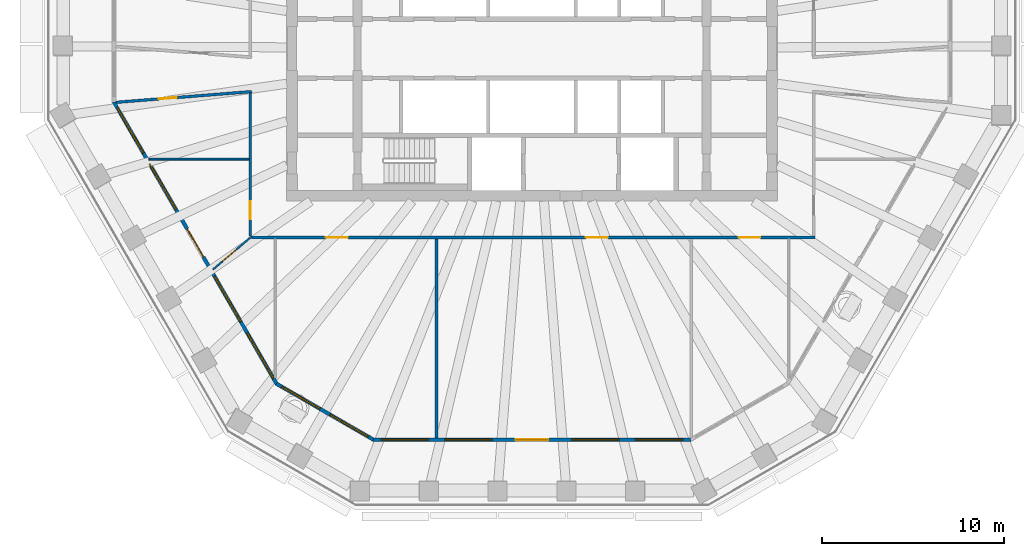
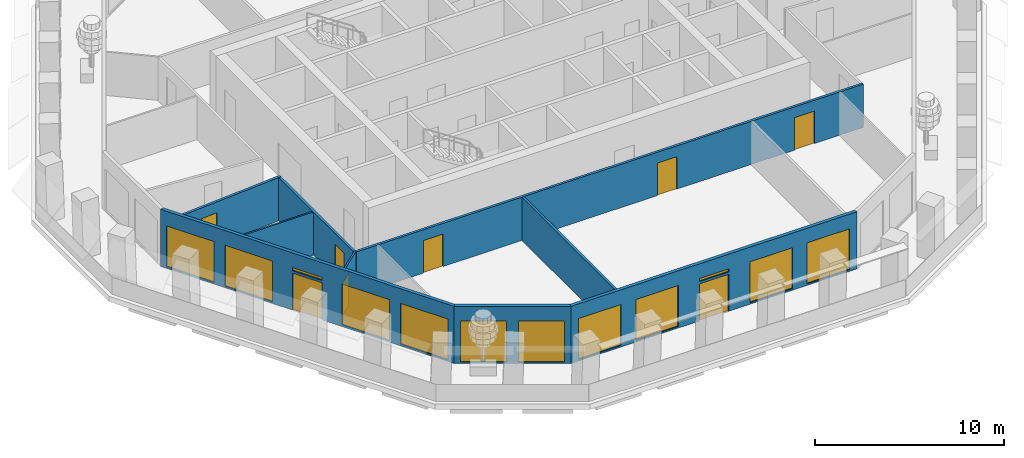
# One storey, part 3 of 12: 12 windows, 9 walls, 8 doors, 20 openings.
"""IFC4 building model written with IfcOpenShell, lengths in metres."""

from ifc_helpers import new_model, si_unit, direction, frame, frame_2d, origin, place, context, subcontext, project, spatial, polyline, rectangle, outline, extrude, material, layer, layer_set, type_object, element, fill, save


model = new_model("IFC4")

# Units and contexts
model_context = context("Model", 3, precision=1e-05, world=origin(), true_north=direction((0.0, 1.0)))
body_context = subcontext(model_context, "Body", "Model", "MODEL_VIEW")
ifc_project = project(units=[si_unit("LENGTHUNIT", "METRE"), si_unit("AREAUNIT", "SQUARE_METRE"), si_unit("VOLUMEUNIT", "CUBIC_METRE"), si_unit("PLANEANGLEUNIT", "RADIAN"), si_unit("MASSUNIT", "GRAM", prefix="KILO")], contexts=[model_context])

# Site, building, storey
site_placement = place(None, origin())
site = spatial("IfcSite", under=ifc_project, at=site_placement, CompositionType="ELEMENT")
building_placement = place(site_placement, origin())
building = spatial("IfcBuilding", under=site, at=building_placement, Name="Frailejon Research Tower", CompositionType="ELEMENT")
storey_placement = place(building_placement, frame((0.0, 0.0, 215.39990234375)))
storey = spatial("IfcBuildingStorey", under=building, at=storey_placement, Name="L46", CompositionType="ELEMENT", Elevation=215.39990234375)

# Wall, opening, door
ifc_material_1 = material(Name="Gypsum board and masonry partition", Category="masonry")
ifc_layer_1 = layer(ifc_material_1, 0.14990234375)
ifc_layer_set_1 = layer_set([ifc_layer_1], Name="Corridor wall EI 60, gypsum on steel studs 150")
wall_type_1 = type_object("IfcWallType", Name="Corridor wall EI 60, gypsum on steel studs 150", PredefinedType="PARTITIONING", material=ifc_layer_set_1)
wall_1_placement = place(storey_placement, frame((-15.5, -10.324951171875, 0.0), z_axis=(0.0, 0.0, 1.0), x_axis=(0.0, 1.0, 0.0)))
wall_1 = element("IfcWall", 1, at=wall_1_placement, inside=storey, type_object=wall_type_1, Name="T:IW:L46:004", PredefinedType="PARTITIONING", context=body_context, shape_type="SweptSolid", body=[
    extrude(rectangle(XDim=7.8740234375, YDim=0.14990234375, at=frame_2d((3.93701171875, 0.0))), origin(), (0.0, 0.0, 1.0), 2.800048828125),
])
opening_1_placement = place(wall_1_placement, frame((0.928466796875, 0.0, 0.0)))
opening_1 = element("IfcOpeningElement", 2, at=opening_1_placement, cuts=wall_1, Name="Opening D1955", PredefinedType="OPENING", context=body_context, shape_type="SweptSolid", body=[
    extrude(rectangle(XDim=1.0, YDim=2.10009765625, at=frame_2d((0.5, 1.050048828125))), frame((0.0, 0.0849609375, 0.0), z_axis=(0.0, -1.0, 0.0), x_axis=(1.0, 0.0, 0.0)), (0.0, 0.0, 1.0), 0.169921875),
])
ifc_material_2 = material(Name="Timber door leaf", Category="wood")
door_type_1 = type_object("IfcDoorType", Name="Door single leaf, timber, steel frame 1000", OperationType="NOTDEFINED", PredefinedType="DOOR", material=ifc_material_2)
door_1_placement = place(opening_1_placement, origin())
door_1 = element("IfcDoor", 3, at=door_1_placement, inside=storey, type_object=door_type_1, Name="D1955", OperationType="SINGLE_SWING_LEFT", OverallHeight=2.10009765625, OverallWidth=1.0, PredefinedType="DOOR", context=body_context, shape_type="SweptSolid", body=[
    extrude(rectangle(XDim=1.0, YDim=2.10009765625, at=frame_2d((0.5, 1.050048828125))), frame((0.0, 0.02490234375, 0.0), z_axis=(0.0, -1.0, 0.0), x_axis=(1.0, 0.0, 0.0)), (0.0, 0.0, 1.0), 0.050048828125),
])
fill(opening_1, door_1)

# Wall, openings, doors
wall_2_placement = place(storey_placement, frame((-15.449951171875, -10.39990234375, 0.0), z_axis=(0.0, 0.0, 1.0), x_axis=(1.0, 0.0, 0.0)))
wall_2 = element("IfcWall", 4, at=wall_2_placement, inside=storey, type_object=wall_type_1, Name="T:IW:L46:006", PredefinedType="PARTITIONING", context=body_context, shape_type="SweptSolid", body=[
    extrude(rectangle(XDim=31.02490234375, YDim=0.14990234375, at=frame_2d((15.512451171875, 0.0))), origin(), (0.0, 0.0, 1.0), 2.800048828125),
])
opening_2_placement = place(wall_2_placement, frame((4.110107421875, 0.0, 0.0)))
opening_2 = element("IfcOpeningElement", 5, at=opening_2_placement, cuts=wall_2, Name="Opening D1957", PredefinedType="OPENING", context=body_context, shape_type="SweptSolid", body=[
    extrude(rectangle(XDim=1.199951171875, YDim=2.10009765625, at=frame_2d((0.60009765625, 1.050048828125))), frame((0.0, 0.0849609375, 0.0), z_axis=(0.0, -1.0, 0.0), x_axis=(1.0, 0.0, 0.0)), (0.0, 0.0, 1.0), 0.169921875),
])
opening_3_placement = place(wall_2_placement, frame((18.418212890625, 0.0, 0.0)))
opening_3 = element("IfcOpeningElement", 6, at=opening_3_placement, cuts=wall_2, Name="Opening D1958", PredefinedType="OPENING", context=body_context, shape_type="SweptSolid", body=[
    extrude(rectangle(XDim=1.199951171875, YDim=2.10009765625, at=frame_2d((0.60009765625, 1.050048828125))), frame((0.0, 0.0849609375, 0.0), z_axis=(0.0, -1.0, 0.0), x_axis=(1.0, 0.0, 0.0)), (0.0, 0.0, 1.0), 0.169921875),
])
opening_4_placement = place(wall_2_placement, frame((26.81591796875, 0.0, 0.0)))
opening_4 = element("IfcOpeningElement", 7, at=opening_4_placement, cuts=wall_2, Name="Opening D1959", PredefinedType="OPENING", context=body_context, shape_type="SweptSolid", body=[
    extrude(rectangle(XDim=1.199951171875, YDim=2.10009765625, at=frame_2d((0.60009765625, 1.050048828125))), frame((0.0, 0.0849609375, 0.0), z_axis=(0.0, -1.0, 0.0), x_axis=(1.0, 0.0, 0.0)), (0.0, 0.0, 1.0), 0.169921875),
])
ifc_material_3 = material(Name="Timber door leaf", Category="wood")
door_type_2 = type_object("IfcDoorType", Name="Door laboratory, timber, vision panel 1200", OperationType="NOTDEFINED", PredefinedType="DOOR", material=ifc_material_3)
door_2_placement = place(opening_3_placement, origin())
door_2 = element("IfcDoor", 8, at=door_2_placement, inside=storey, type_object=door_type_2, Name="D1958", OperationType="DOUBLE_DOOR_SINGLE_SWING", OverallHeight=2.10009765625, OverallWidth=1.199951171875, PredefinedType="DOOR", context=body_context, shape_type="SweptSolid", body=[
    extrude(rectangle(XDim=1.199951171875, YDim=2.10009765625, at=frame_2d((0.60009765625, 1.050048828125))), frame((0.0, 0.02490234375, 0.0), z_axis=(0.0, -1.0, 0.0), x_axis=(1.0, 0.0, 0.0)), (0.0, 0.0, 1.0), 0.050048828125),
])
fill(opening_3, door_2)
ifc_material_4 = material(Name="Timber door leaf", Category="wood")
door_type_3 = type_object("IfcDoorType", Name="Door single leaf, timber, steel frame 1200", OperationType="NOTDEFINED", PredefinedType="DOOR", material=ifc_material_4)
door_3_placement = place(opening_2_placement, origin())
door_3 = element("IfcDoor", 9, at=door_3_placement, inside=storey, type_object=door_type_3, Name="D1957", OperationType="DOUBLE_DOOR_SINGLE_SWING", OverallHeight=2.10009765625, OverallWidth=1.199951171875, PredefinedType="DOOR", context=body_context, shape_type="SweptSolid", body=[
    extrude(rectangle(XDim=1.199951171875, YDim=2.10009765625, at=frame_2d((0.60009765625, 1.050048828125))), frame((0.0, 0.02490234375, 0.0), z_axis=(0.0, -1.0, 0.0), x_axis=(1.0, 0.0, 0.0)), (0.0, 0.0, 1.0), 0.050048828125),
])
fill(opening_2, door_3)
door_4_placement = place(opening_4_placement, origin())
door_4 = element("IfcDoor", 10, at=door_4_placement, inside=storey, type_object=door_type_3, Name="D1959", OperationType="DOUBLE_DOOR_SINGLE_SWING", OverallHeight=2.10009765625, OverallWidth=1.199951171875, PredefinedType="DOOR", context=body_context, shape_type="SweptSolid", body=[
    extrude(rectangle(XDim=1.199951171875, YDim=2.10009765625, at=frame_2d((0.60009765625, 1.050048828125))), frame((0.0, 0.02490234375, 0.0), z_axis=(0.0, -1.0, 0.0), x_axis=(1.0, 0.0, 0.0)), (0.0, 0.0, 1.0), 0.050048828125),
])
fill(opening_4, door_4)

# Wall, opening, door
wall_3_placement = place(storey_placement, frame((-22.885986328125, -2.960205078125, 0.0), z_axis=(0.0, 0.0, 1.0), x_axis=(0.996886755429, 0.078846666706, 0.0)))
wall_3 = element("IfcWall", 11, at=wall_3_placement, inside=storey, type_object=wall_type_1, Name="T:IW:L46:008", PredefinedType="PARTITIONING", context=body_context, shape_type="SweptSolid", body=[
    extrude(rectangle(XDim=7.48388671875, YDim=0.14990234375, at=frame_2d((3.741943359375, 0.0))), origin(), (0.0, 0.0, 1.0), 2.800048828125),
])
opening_5_placement = place(wall_3_placement, frame((2.34814453125, 0.0, 0.0)))
opening_5 = element("IfcOpeningElement", 12, at=opening_5_placement, cuts=wall_3, Name="Opening D1954", PredefinedType="OPENING", context=body_context, shape_type="SweptSolid", body=[
    extrude(rectangle(XDim=1.0, YDim=2.10009765625, at=frame_2d((0.5, 1.050048828125))), frame((0.0, 0.0849609375, 0.0), z_axis=(0.0, -1.0, 0.0), x_axis=(1.0, 0.0, 0.0)), (0.0, 0.0, 1.0), 0.169921875),
])
door_5_placement = place(opening_5_placement, origin())
door_5 = element("IfcDoor", 13, at=door_5_placement, inside=storey, type_object=door_type_1, Name="D1954", OperationType="SINGLE_SWING_RIGHT", OverallHeight=2.10009765625, OverallWidth=1.0, PredefinedType="DOOR", context=body_context, shape_type="SweptSolid", body=[
    extrude(rectangle(XDim=1.0, YDim=2.10009765625, at=frame_2d((0.5, 1.050048828125))), frame((0.0, 0.02490234375, 0.0), z_axis=(0.0, -1.0, 0.0), x_axis=(1.0, 0.0, 0.0)), (0.0, 0.0, 1.0), 0.050048828125),
])
fill(opening_5, door_5)

# Walls
ifc_material_5 = material(Name="Gypsum board and masonry partition", Category="masonry")
ifc_layer_2 = layer(ifc_material_5, 0.14990234375)
ifc_layer_set_2 = layer_set([ifc_layer_2], Name="Laboratory partition, blockwork 150")
wall_type_2 = type_object("IfcWallType", Name="Laboratory partition, blockwork 150", PredefinedType="PARTITIONING", material=ifc_layer_set_2)
wall_4_placement = place(storey_placement, frame((-5.25439453125, -21.42578125, 0.0), z_axis=(0.0, 0.0, 1.0), x_axis=(0.0, 1.0, 0.0)))
element("IfcWall", 14, at=wall_4_placement, inside=storey, type_object=wall_type_2, Name="T:IW:L46:013", PredefinedType="PARTITIONING", context=body_context, shape_type="SweptSolid", body=[
    extrude(rectangle(XDim=10.95068359375, YDim=0.14990234375, at=frame_2d((5.475341796875, 0.0))), origin(), (0.0, 0.0, 1.0), 2.800048828125),
])
ifc_material_6 = material(Name="Gypsum board and masonry partition", Category="masonry")
ifc_layer_3 = layer(ifc_material_6, 0.10009765625)
ifc_layer_set_3 = layer_set([ifc_layer_3], Name="Partition, gypsum on steel studs 100")
wall_type_3 = type_object("IfcWallType", Name="Partition, gypsum on steel studs 100", PredefinedType="PARTITIONING", material=ifc_layer_set_3)
wall_5_placement = place(storey_placement, frame((-21.0810546875, -6.08642578125, 0.0), z_axis=(0.0, 0.0, 1.0), x_axis=(1.0, 0.0, 0.0)))
element("IfcWall", 15, at=wall_5_placement, inside=storey, type_object=wall_type_3, Name="T:IW:L46:018", PredefinedType="PARTITIONING", context=body_context, shape_type="SweptSolid", body=[
    extrude(rectangle(XDim=5.506103515625, YDim=0.10009765625, at=frame_2d((2.7529296875, 0.0))), origin(), (0.0, 0.0, 1.0), 2.800048828125),
])

# Wall, opening, door
wall_6_placement = place(storey_placement, frame((-17.567626953125, -12.172119140625, 0.0), z_axis=(0.0, 0.0, 1.0), x_axis=(0.759293556227, 0.65074825814, 0.0)))
wall_6 = element("IfcWall", 16, at=wall_6_placement, inside=storey, type_object=wall_type_3, Name="T:IW:L46:020", PredefinedType="PARTITIONING", context=body_context, shape_type="SweptSolid", body=[
    extrude(rectangle(XDim=2.798095703125, YDim=0.10009765625, at=frame_2d((1.39892578125, 0.0))), origin(), (0.0, 0.0, 1.0), 2.800048828125),
])
opening_6_placement = place(wall_6_placement, frame((0.7080078125, 0.0, 0.0)))
opening_6 = element("IfcOpeningElement", 17, at=opening_6_placement, cuts=wall_6, Name="Opening D1956", PredefinedType="OPENING", context=body_context, shape_type="SweptSolid", body=[
    extrude(rectangle(XDim=1.0, YDim=2.10009765625, at=frame_2d((0.5, 1.050048828125))), frame((0.0, 0.06005859375, 0.0), z_axis=(0.0, -1.0, 0.0), x_axis=(1.0, 0.0, 0.0)), (0.0, 0.0, 1.0), 0.1201171875),
])
door_6_placement = place(opening_6_placement, origin())
door_6 = element("IfcDoor", 18, at=door_6_placement, inside=storey, type_object=door_type_1, Name="D1956", OperationType="SINGLE_SWING_RIGHT", OverallHeight=2.10009765625, OverallWidth=1.0, PredefinedType="DOOR", context=body_context, shape_type="SweptSolid", body=[
    extrude(rectangle(XDim=1.0, YDim=2.10009765625, at=frame_2d((0.5, 1.050048828125))), frame((0.0, 0.02490234375, 0.0), z_axis=(0.0, -1.0, 0.0), x_axis=(1.0, 0.0, 0.0)), (0.0, 0.0, 1.0), 0.050048828125),
])
fill(opening_6, door_6)

# Wall, openings, door, windows
ifc_material_7 = material(Name="Concrete C40/50 precast window wall panel", Category="concrete")
ifc_layer_4 = layer(ifc_material_7, 0.199951171875)
ifc_layer_set_4 = layer_set([ifc_layer_4], Name="Window wall 200")
wall_type_4 = type_object("IfcWallType", Name="Window wall 200", PredefinedType="SOLIDWALL", material=ifc_layer_set_4)
wall_7_placement = place(storey_placement, frame((-23.007080078125, -2.95068359375, 0.0), z_axis=(0.0, 0.0, 1.0), x_axis=(0.500006652623, -0.866021562857, 0.0)))
wall_7 = element("IfcWall", 19, at=wall_7_placement, inside=storey, type_object=wall_type_4, Name="Exterior wall L46", PredefinedType="SOLIDWALL", context=body_context, shape_type="SweptSolid", body=[
    extrude(outline(polyline([(-0.02685546875, -0.10009765625), (1.029052734375, -0.10009765625), (2.0849609375, -0.10009765625), (3.140869140625, -0.10009765625), (4.19677734375, -0.10009765625), (5.25244140625, -0.10009765625), (6.308349609375, -0.10009765625), (7.3642578125, -0.10009765625), (8.420166015625, -0.10009765625), (9.47607421875, -0.10009765625), (10.531982421875, -0.10009765625), (11.587890625, -0.10009765625), (12.643798828125, -0.10009765625), (13.699462890625, -0.10009765625), (14.75537109375, -0.10009765625), (15.811279296875, -0.10009765625), (16.8671875, -0.10009765625), (17.923095703125, -0.10009765625), (17.869384765625, 0.10009765625), (16.81982421875, 0.10009765625), (15.770263671875, 0.10009765625), (14.720703125, 0.10009765625), (13.671142578125, 0.10009765625), (12.62158203125, 0.10009765625), (11.572021484375, 0.10009765625), (10.5224609375, 0.10009765625), (9.472900390625, 0.10009765625), (8.42333984375, 0.10009765625), (7.373779296875, 0.10009765625), (6.32421875, 0.10009765625), (5.274658203125, 0.10009765625), (4.22509765625, 0.10009765625), (3.175537109375, 0.10009765625), (2.1259765625, 0.10009765625), (1.076416015625, 0.10009765625), (0.02685546875, 0.10009765625), (-0.02685546875, -0.10009765625)])), origin(), (0.0, 0.0, 1.0), 3.7001953125),
])
opening_7_placement = place(wall_7_placement, frame((0.339599609375, 0.0, 0.10009765625)))
opening_7 = element("IfcOpeningElement", 20, at=opening_7_placement, cuts=wall_7, Name="Opening W20", PredefinedType="OPENING", context=body_context, shape_type="SweptSolid", body=[
    extrude(rectangle(XDim=2.89990234375, YDim=2.64990234375, at=frame_2d((1.449951171875, 1.324951171875))), frame((0.0, 0.10986328125, 0.0), z_axis=(0.0, -1.0, 0.0), x_axis=(1.0, 0.0, 0.0)), (0.0, 0.0, 1.0), 0.219970703125),
])
opening_8_placement = place(wall_7_placement, frame((3.918701171875, 0.0, 0.10009765625)))
opening_8 = element("IfcOpeningElement", 21, at=opening_8_placement, cuts=wall_7, Name="Opening W20", PredefinedType="OPENING", context=body_context, shape_type="SweptSolid", body=[
    extrude(rectangle(XDim=2.89990234375, YDim=2.64990234375, at=frame_2d((1.449951171875, 1.324951171875))), frame((0.0, 0.10986328125, 0.0), z_axis=(0.0, -1.0, 0.0), x_axis=(1.0, 0.0, 0.0)), (0.0, 0.0, 1.0), 0.219970703125),
])
opening_9_placement = place(wall_7_placement, frame((8.048095703125, 0.0, 0.0)))
opening_9 = element("IfcOpeningElement", 22, at=opening_9_placement, cuts=wall_7, Name="Opening LG46-4", PredefinedType="OPENING", context=body_context, shape_type="SweptSolid", body=[
    extrude(rectangle(XDim=1.800048828125, YDim=2.39990234375, at=frame_2d((0.89990234375, 1.199951171875))), frame((0.0, 0.10986328125, 0.0), z_axis=(0.0, -1.0, 0.0), x_axis=(1.0, 0.0, 0.0)), (0.0, 0.0, 1.0), 0.219970703125),
])
opening_10_placement = place(wall_7_placement, frame((8.048095703125, 0.0, 2.550048828125)))
opening_10 = element("IfcOpeningElement", 23, at=opening_10_placement, cuts=wall_7, Name="Opening W19", PredefinedType="OPENING", context=body_context, shape_type="SweptSolid", body=[
    extrude(rectangle(XDim=1.800048828125, YDim=0.199951171875, at=frame_2d((0.89990234375, 0.10009765625))), frame((0.0, 0.10986328125, 0.0), z_axis=(0.0, -1.0, 0.0), x_axis=(1.0, 0.0, 0.0)), (0.0, 0.0, 1.0), 0.219970703125),
])
opening_11_placement = place(wall_7_placement, frame((11.077392578125, 0.0, 0.10009765625)))
opening_11 = element("IfcOpeningElement", 24, at=opening_11_placement, cuts=wall_7, Name="Opening W20", PredefinedType="OPENING", context=body_context, shape_type="SweptSolid", body=[
    extrude(rectangle(XDim=2.89990234375, YDim=2.64990234375, at=frame_2d((1.449951171875, 1.324951171875))), frame((0.0, 0.10986328125, 0.0), z_axis=(0.0, -1.0, 0.0), x_axis=(1.0, 0.0, 0.0)), (0.0, 0.0, 1.0), 0.219970703125),
])
opening_12_placement = place(wall_7_placement, frame((14.656494140625, 0.0, 0.10009765625)))
opening_12 = element("IfcOpeningElement", 25, at=opening_12_placement, cuts=wall_7, Name="Opening W20", PredefinedType="OPENING", context=body_context, shape_type="SweptSolid", body=[
    extrude(rectangle(XDim=2.89990234375, YDim=2.64990234375, at=frame_2d((1.449951171875, 1.324951171875))), frame((0.0, 0.10986328125, 0.0), z_axis=(0.0, -1.0, 0.0), x_axis=(1.0, 0.0, 0.0)), (0.0, 0.0, 1.0), 0.219970703125),
])
ifc_material_8 = material(Name="Aluminium framed glazed door leaf", Category="aluminium")
door_type_4 = type_object("IfcDoorType", Name="Loggia door 1800x2400", OperationType="DOUBLE_DOOR_SINGLE_SWING", PredefinedType="DOOR", material=ifc_material_8)
door_7_placement = place(opening_9_placement, origin())
door_7 = element("IfcDoor", 26, at=door_7_placement, inside=storey, type_object=door_type_4, Name="Door LG46-4", OperationType="DOUBLE_DOOR_SINGLE_SWING", OverallHeight=2.39990234375, OverallWidth=1.800048828125, PredefinedType="DOOR", context=body_context, shape_type="SweptSolid", body=[
    extrude(rectangle(XDim=1.800048828125, YDim=2.39990234375, at=frame_2d((0.89990234375, 1.199951171875))), frame((0.0, 0.02490234375, 0.0), z_axis=(0.0, -1.0, 0.0), x_axis=(1.0, 0.0, 0.0)), (0.0, 0.0, 1.0), 0.050048828125),
])
fill(opening_9, door_7)
ifc_material_9 = material(Name="Aluminium framed double glazing", Category="aluminium")
window_type_1 = type_object("IfcWindowType", Name="Window 1800x200", PartitioningType="SINGLE_PANEL", PredefinedType="WINDOW", material=ifc_material_9)
window_1_placement = place(opening_10_placement, origin())
window_1 = element("IfcWindow", 27, at=window_1_placement, inside=storey, type_object=window_type_1, Name="Window L46", OverallHeight=0.199951171875, OverallWidth=1.800048828125, PartitioningType="SINGLE_PANEL", PredefinedType="WINDOW", context=body_context, shape_type="SweptSolid", body=[
    extrude(rectangle(XDim=1.800048828125, YDim=0.199951171875, at=frame_2d((0.89990234375, 0.10009765625))), frame((0.0, 0.030029296875, 0.0), z_axis=(0.0, -1.0, 0.0), x_axis=(1.0, 0.0, 0.0)), (0.0, 0.0, 1.0), 0.06005859375),
])
fill(opening_10, window_1)
ifc_material_10 = material(Name="Aluminium framed double glazing", Category="aluminium")
window_type_2 = type_object("IfcWindowType", Name="Window 2900x2650", PartitioningType="SINGLE_PANEL", PredefinedType="WINDOW", material=ifc_material_10)
window_2_placement = place(opening_7_placement, origin())
window_2 = element("IfcWindow", 28, at=window_2_placement, inside=storey, type_object=window_type_2, Name="Window L46", OverallHeight=2.64990234375, OverallWidth=2.89990234375, PartitioningType="SINGLE_PANEL", PredefinedType="WINDOW", context=body_context, shape_type="SweptSolid", body=[
    extrude(rectangle(XDim=2.89990234375, YDim=2.64990234375, at=frame_2d((1.449951171875, 1.324951171875))), frame((0.0, 0.030029296875, 0.0), z_axis=(0.0, -1.0, 0.0), x_axis=(1.0, 0.0, 0.0)), (0.0, 0.0, 1.0), 0.06005859375),
])
fill(opening_7, window_2)
window_3_placement = place(opening_8_placement, origin())
window_3 = element("IfcWindow", 29, at=window_3_placement, inside=storey, type_object=window_type_2, Name="Window L46", OverallHeight=2.64990234375, OverallWidth=2.89990234375, PartitioningType="SINGLE_PANEL", PredefinedType="WINDOW", context=body_context, shape_type="SweptSolid", body=[
    extrude(rectangle(XDim=2.89990234375, YDim=2.64990234375, at=frame_2d((1.449951171875, 1.324951171875))), frame((0.0, 0.030029296875, 0.0), z_axis=(0.0, -1.0, 0.0), x_axis=(1.0, 0.0, 0.0)), (0.0, 0.0, 1.0), 0.06005859375),
])
fill(opening_8, window_3)
window_4_placement = place(opening_11_placement, origin())
window_4 = element("IfcWindow", 30, at=window_4_placement, inside=storey, type_object=window_type_2, Name="Window L46", OverallHeight=2.64990234375, OverallWidth=2.89990234375, PartitioningType="SINGLE_PANEL", PredefinedType="WINDOW", context=body_context, shape_type="SweptSolid", body=[
    extrude(rectangle(XDim=2.89990234375, YDim=2.64990234375, at=frame_2d((1.449951171875, 1.324951171875))), frame((0.0, 0.030029296875, 0.0), z_axis=(0.0, -1.0, 0.0), x_axis=(1.0, 0.0, 0.0)), (0.0, 0.0, 1.0), 0.06005859375),
])
fill(opening_11, window_4)
window_5_placement = place(opening_12_placement, origin())
window_5 = element("IfcWindow", 31, at=window_5_placement, inside=storey, type_object=window_type_2, Name="Window L46", OverallHeight=2.64990234375, OverallWidth=2.89990234375, PartitioningType="SINGLE_PANEL", PredefinedType="WINDOW", context=body_context, shape_type="SweptSolid", body=[
    extrude(rectangle(XDim=2.89990234375, YDim=2.64990234375, at=frame_2d((1.449951171875, 1.324951171875))), frame((0.0, 0.030029296875, 0.0), z_axis=(0.0, -1.0, 0.0), x_axis=(1.0, 0.0, 0.0)), (0.0, 0.0, 1.0), 0.06005859375),
])
fill(opening_12, window_5)

# Wall, openings, windows
wall_8_placement = place(storey_placement, frame((-14.058837890625, -18.44921875, 0.0), z_axis=(0.0, 0.0, 1.0), x_axis=(0.866029647142, -0.499992650217, 0.0)))
wall_8 = element("IfcWall", 32, at=wall_8_placement, inside=storey, type_object=wall_type_4, Name="Exterior wall L46", PredefinedType="SOLIDWALL", context=body_context, shape_type="SweptSolid", body=[
    extrude(outline(polyline([(-0.02685546875, -0.10009765625), (1.007568359375, -0.10009765625), (2.0419921875, -0.10009765625), (3.076416015625, -0.10009765625), (4.11083984375, -0.10009765625), (5.145263671875, -0.10009765625), (6.1796875, -0.10009765625), (6.1259765625, 0.10009765625), (5.109375, 0.10009765625), (4.093017578125, 0.10009765625), (3.076416015625, 0.10009765625), (2.059814453125, 0.10009765625), (1.04345703125, 0.10009765625), (0.02685546875, 0.10009765625), (-0.02685546875, -0.10009765625)])), origin(), (0.0, 0.0, 1.0), 3.7001953125),
])
opening_13_placement = place(wall_8_placement, frame((0.313232421875, 0.0, 0.10009765625)))
opening_13 = element("IfcOpeningElement", 33, at=opening_13_placement, cuts=wall_8, Name="Opening W17", PredefinedType="OPENING", context=body_context, shape_type="SweptSolid", body=[
    extrude(rectangle(XDim=2.449951171875, YDim=2.64990234375, at=frame_2d((1.22509765625, 1.324951171875))), frame((0.0, 0.10986328125, 0.0), z_axis=(0.0, -1.0, 0.0), x_axis=(1.0, 0.0, 0.0)), (0.0, 0.0, 1.0), 0.219970703125),
])
opening_14_placement = place(wall_8_placement, frame((3.3896484375, 0.0, 0.10009765625)))
opening_14 = element("IfcOpeningElement", 34, at=opening_14_placement, cuts=wall_8, Name="Opening W17", PredefinedType="OPENING", context=body_context, shape_type="SweptSolid", body=[
    extrude(rectangle(XDim=2.449951171875, YDim=2.64990234375, at=frame_2d((1.22509765625, 1.324951171875))), frame((0.0, 0.10986328125, 0.0), z_axis=(0.0, -1.0, 0.0), x_axis=(1.0, 0.0, 0.0)), (0.0, 0.0, 1.0), 0.219970703125),
])
ifc_material_11 = material(Name="Aluminium framed double glazing", Category="aluminium")
window_type_3 = type_object("IfcWindowType", Name="Window 2450x2650", PartitioningType="SINGLE_PANEL", PredefinedType="WINDOW", material=ifc_material_11)
window_6_placement = place(opening_13_placement, origin())
window_6 = element("IfcWindow", 35, at=window_6_placement, inside=storey, type_object=window_type_3, Name="Window L46", OverallHeight=2.64990234375, OverallWidth=2.449951171875, PartitioningType="SINGLE_PANEL", PredefinedType="WINDOW", context=body_context, shape_type="SweptSolid", body=[
    extrude(rectangle(XDim=2.449951171875, YDim=2.64990234375, at=frame_2d((1.22509765625, 1.324951171875))), frame((0.0, 0.030029296875, 0.0), z_axis=(0.0, -1.0, 0.0), x_axis=(1.0, 0.0, 0.0)), (0.0, 0.0, 1.0), 0.06005859375),
])
fill(opening_13, window_6)
window_7_placement = place(opening_14_placement, origin())
window_7 = element("IfcWindow", 36, at=window_7_placement, inside=storey, type_object=window_type_3, Name="Window L46", OverallHeight=2.64990234375, OverallWidth=2.449951171875, PartitioningType="SINGLE_PANEL", PredefinedType="WINDOW", context=body_context, shape_type="SweptSolid", body=[
    extrude(rectangle(XDim=2.449951171875, YDim=2.64990234375, at=frame_2d((1.22509765625, 1.324951171875))), frame((0.0, 0.030029296875, 0.0), z_axis=(0.0, -1.0, 0.0), x_axis=(1.0, 0.0, 0.0)), (0.0, 0.0, 1.0), 0.06005859375),
])
fill(opening_14, window_7)

# Wall, openings, door, windows
wall_9_placement = place(storey_placement, frame((-8.730224609375, -21.525634765625, 0.0), z_axis=(0.0, 0.0, 1.0), x_axis=(1.0, 0.0, 0.0)))
wall_9 = element("IfcWall", 37, at=wall_9_placement, inside=storey, type_object=wall_type_4, Name="Exterior wall L46", PredefinedType="SOLIDWALL", context=body_context, shape_type="SweptSolid", body=[
    extrude(outline(polyline([(-0.02685546875, -0.10009765625), (1.00341796875, -0.10009765625), (2.03369140625, -0.10009765625), (3.06396484375, -0.10009765625), (4.09423828125, -0.10009765625), (5.124267578125, -0.10009765625), (6.154541015625, -0.10009765625), (7.184814453125, -0.10009765625), (8.215087890625, -0.10009765625), (9.245361328125, -0.10009765625), (10.275634765625, -0.10009765625), (11.305908203125, -0.10009765625), (12.336181640625, -0.10009765625), (13.3662109375, -0.10009765625), (14.396484375, -0.10009765625), (15.4267578125, -0.10009765625), (16.45703125, -0.10009765625), (17.4873046875, -0.10009765625), (17.43359375, 0.10009765625), (16.40966796875, 0.10009765625), (15.3857421875, 0.10009765625), (14.36181640625, 0.10009765625), (13.337890625, 0.10009765625), (12.31396484375, 0.10009765625), (11.2900390625, 0.10009765625), (10.26611328125, 0.10009765625), (9.2421875, 0.10009765625), (8.21826171875, 0.10009765625), (7.1943359375, 0.10009765625), (6.17041015625, 0.10009765625), (5.146484375, 0.10009765625), (4.12255859375, 0.10009765625), (3.0986328125, 0.10009765625), (2.07470703125, 0.10009765625), (1.05078125, 0.10009765625), (0.02685546875, 0.10009765625), (-0.02685546875, -0.10009765625)])), origin(), (0.0, 0.0, 1.0), 3.7001953125),
])
opening_15_placement = place(wall_9_placement, frame((0.446044921875, 0.0, 0.10009765625)))
opening_15 = element("IfcOpeningElement", 38, at=opening_15_placement, cuts=wall_9, Name="Opening W18", PredefinedType="OPENING", context=body_context, shape_type="SweptSolid", body=[
    extrude(rectangle(XDim=2.60009765625, YDim=2.64990234375, at=frame_2d((1.300048828125, 1.324951171875))), frame((0.0, 0.10986328125, 0.0), z_axis=(0.0, -1.0, 0.0), x_axis=(1.0, 0.0, 0.0)), (0.0, 0.0, 1.0), 0.219970703125),
])
opening_16_placement = place(wall_9_placement, frame((3.938232421875, 0.0, 0.10009765625)))
opening_16 = element("IfcOpeningElement", 39, at=opening_16_placement, cuts=wall_9, Name="Opening W18", PredefinedType="OPENING", context=body_context, shape_type="SweptSolid", body=[
    extrude(rectangle(XDim=2.60009765625, YDim=2.64990234375, at=frame_2d((1.300048828125, 1.324951171875))), frame((0.0, 0.10986328125, 0.0), z_axis=(0.0, -1.0, 0.0), x_axis=(1.0, 0.0, 0.0)), (0.0, 0.0, 1.0), 0.219970703125),
])
opening_17_placement = place(wall_9_placement, frame((7.830322265625, 0.0, 0.0)))
opening_17 = element("IfcOpeningElement", 40, at=opening_17_placement, cuts=wall_9, Name="Opening LG46-5", PredefinedType="OPENING", context=body_context, shape_type="SweptSolid", body=[
    extrude(rectangle(XDim=1.800048828125, YDim=2.39990234375, at=frame_2d((0.89990234375, 1.199951171875))), frame((0.0, 0.10986328125, 0.0), z_axis=(0.0, -1.0, 0.0), x_axis=(1.0, 0.0, 0.0)), (0.0, 0.0, 1.0), 0.219970703125),
])
opening_18_placement = place(wall_9_placement, frame((7.830322265625, 0.0, 2.550048828125)))
opening_18 = element("IfcOpeningElement", 41, at=opening_18_placement, cuts=wall_9, Name="Opening W19", PredefinedType="OPENING", context=body_context, shape_type="SweptSolid", body=[
    extrude(rectangle(XDim=1.800048828125, YDim=0.199951171875, at=frame_2d((0.89990234375, 0.10009765625))), frame((0.0, 0.10986328125, 0.0), z_axis=(0.0, -1.0, 0.0), x_axis=(1.0, 0.0, 0.0)), (0.0, 0.0, 1.0), 0.219970703125),
])
opening_19_placement = place(wall_9_placement, frame((10.922607421875, 0.0, 0.10009765625)))
opening_19 = element("IfcOpeningElement", 42, at=opening_19_placement, cuts=wall_9, Name="Opening W18", PredefinedType="OPENING", context=body_context, shape_type="SweptSolid", body=[
    extrude(rectangle(XDim=2.60009765625, YDim=2.64990234375, at=frame_2d((1.300048828125, 1.324951171875))), frame((0.0, 0.10986328125, 0.0), z_axis=(0.0, -1.0, 0.0), x_axis=(1.0, 0.0, 0.0)), (0.0, 0.0, 1.0), 0.219970703125),
])
opening_20_placement = place(wall_9_placement, frame((14.41455078125, 0.0, 0.10009765625)))
opening_20 = element("IfcOpeningElement", 43, at=opening_20_placement, cuts=wall_9, Name="Opening W18", PredefinedType="OPENING", context=body_context, shape_type="SweptSolid", body=[
    extrude(rectangle(XDim=2.60009765625, YDim=2.64990234375, at=frame_2d((1.300048828125, 1.324951171875))), frame((0.0, 0.10986328125, 0.0), z_axis=(0.0, -1.0, 0.0), x_axis=(1.0, 0.0, 0.0)), (0.0, 0.0, 1.0), 0.219970703125),
])
door_8_placement = place(opening_17_placement, origin())
door_8 = element("IfcDoor", 44, at=door_8_placement, inside=storey, type_object=door_type_4, Name="Door LG46-5", OperationType="DOUBLE_DOOR_SINGLE_SWING", OverallHeight=2.39990234375, OverallWidth=1.800048828125, PredefinedType="DOOR", context=body_context, shape_type="SweptSolid", body=[
    extrude(rectangle(XDim=1.800048828125, YDim=2.39990234375, at=frame_2d((0.89990234375, 1.199951171875))), frame((0.0, 0.02490234375, 0.0), z_axis=(0.0, -1.0, 0.0), x_axis=(1.0, 0.0, 0.0)), (0.0, 0.0, 1.0), 0.050048828125),
])
fill(opening_17, door_8)
window_8_placement = place(opening_18_placement, origin())
window_8 = element("IfcWindow", 45, at=window_8_placement, inside=storey, type_object=window_type_1, Name="Window L46", OverallHeight=0.199951171875, OverallWidth=1.800048828125, PartitioningType="SINGLE_PANEL", PredefinedType="WINDOW", context=body_context, shape_type="SweptSolid", body=[
    extrude(rectangle(XDim=1.800048828125, YDim=0.199951171875, at=frame_2d((0.89990234375, 0.10009765625))), frame((0.0, 0.030029296875, 0.0), z_axis=(0.0, -1.0, 0.0), x_axis=(1.0, 0.0, 0.0)), (0.0, 0.0, 1.0), 0.06005859375),
])
fill(opening_18, window_8)
ifc_material_12 = material(Name="Aluminium framed double glazing", Category="aluminium")
window_type_4 = type_object("IfcWindowType", Name="Window 2600x2650", PartitioningType="SINGLE_PANEL", PredefinedType="WINDOW", material=ifc_material_12)
window_9_placement = place(opening_15_placement, origin())
window_9 = element("IfcWindow", 46, at=window_9_placement, inside=storey, type_object=window_type_4, Name="Window L46", OverallHeight=2.64990234375, OverallWidth=2.60009765625, PartitioningType="SINGLE_PANEL", PredefinedType="WINDOW", context=body_context, shape_type="SweptSolid", body=[
    extrude(rectangle(XDim=2.60009765625, YDim=2.64990234375, at=frame_2d((1.300048828125, 1.324951171875))), frame((0.0, 0.030029296875, 0.0), z_axis=(0.0, -1.0, 0.0), x_axis=(1.0, 0.0, 0.0)), (0.0, 0.0, 1.0), 0.06005859375),
])
fill(opening_15, window_9)
window_10_placement = place(opening_16_placement, origin())
window_10 = element("IfcWindow", 47, at=window_10_placement, inside=storey, type_object=window_type_4, Name="Window L46", OverallHeight=2.64990234375, OverallWidth=2.60009765625, PartitioningType="SINGLE_PANEL", PredefinedType="WINDOW", context=body_context, shape_type="SweptSolid", body=[
    extrude(rectangle(XDim=2.60009765625, YDim=2.64990234375, at=frame_2d((1.300048828125, 1.324951171875))), frame((0.0, 0.030029296875, 0.0), z_axis=(0.0, -1.0, 0.0), x_axis=(1.0, 0.0, 0.0)), (0.0, 0.0, 1.0), 0.06005859375),
])
fill(opening_16, window_10)
window_11_placement = place(opening_19_placement, origin())
window_11 = element("IfcWindow", 48, at=window_11_placement, inside=storey, type_object=window_type_4, Name="Window L46", OverallHeight=2.64990234375, OverallWidth=2.60009765625, PartitioningType="SINGLE_PANEL", PredefinedType="WINDOW", context=body_context, shape_type="SweptSolid", body=[
    extrude(rectangle(XDim=2.60009765625, YDim=2.64990234375, at=frame_2d((1.300048828125, 1.324951171875))), frame((0.0, 0.030029296875, 0.0), z_axis=(0.0, -1.0, 0.0), x_axis=(1.0, 0.0, 0.0)), (0.0, 0.0, 1.0), 0.06005859375),
])
fill(opening_19, window_11)
window_12_placement = place(opening_20_placement, origin())
window_12 = element("IfcWindow", 49, at=window_12_placement, inside=storey, type_object=window_type_4, Name="Window L46", OverallHeight=2.64990234375, OverallWidth=2.60009765625, PartitioningType="SINGLE_PANEL", PredefinedType="WINDOW", context=body_context, shape_type="SweptSolid", body=[
    extrude(rectangle(XDim=2.60009765625, YDim=2.64990234375, at=frame_2d((1.300048828125, 1.324951171875))), frame((0.0, 0.030029296875, 0.0), z_axis=(0.0, -1.0, 0.0), x_axis=(1.0, 0.0, 0.0)), (0.0, 0.0, 1.0), 0.06005859375),
])
fill(opening_20, window_12)

save(model, "model.ifc")
